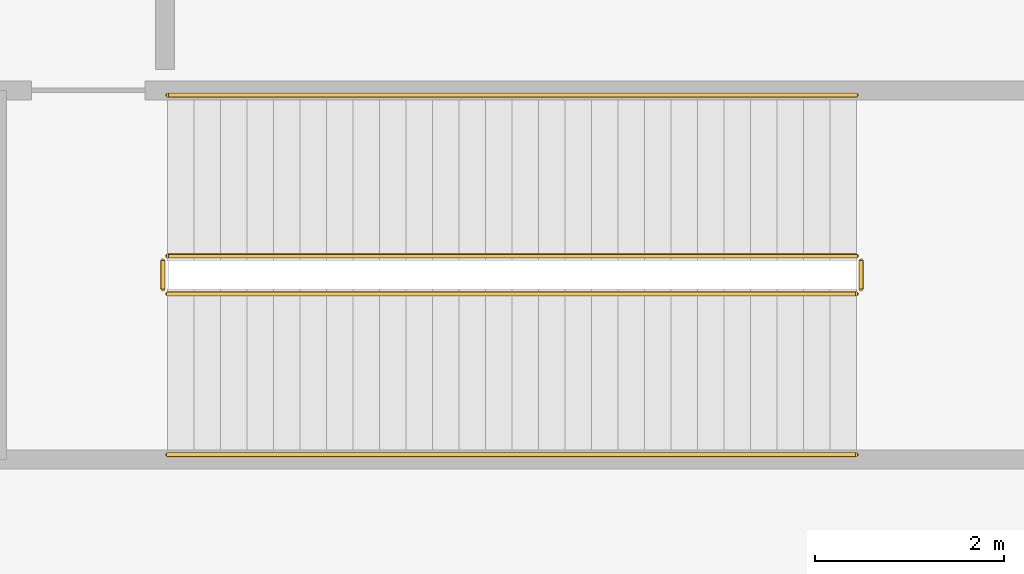
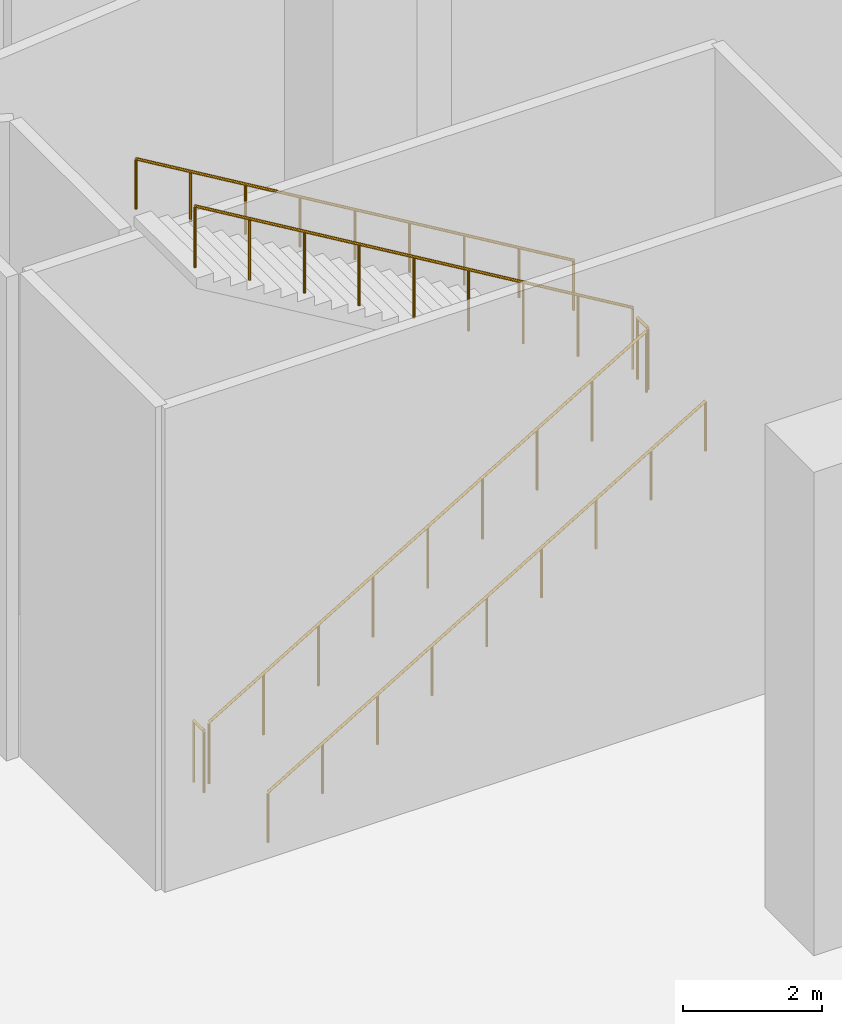
# One storey, part 38 of 54: 6 railings.
"""IFC4 building model written with IfcOpenShell, lengths in metres."""

from ifc_helpers import new_model, si_unit, direction, frame, origin, origin_2d, place, context, subcontext, project, spatial, circle, extrude, material, type_object, element, save


model = new_model("IFC4")

# Units and contexts
model_context = context("Model", 3, precision=1e-05, world=origin(), true_north=direction((0.0, 1.0)))
body_context = subcontext(model_context, "Body", "Model", "MODEL_VIEW")
ifc_project = project(units=[si_unit("LENGTHUNIT", "METRE"), si_unit("AREAUNIT", "SQUARE_METRE"), si_unit("VOLUMEUNIT", "CUBIC_METRE"), si_unit("PLANEANGLEUNIT", "RADIAN"), si_unit("MASSUNIT", "GRAM", prefix="KILO")], contexts=[model_context])

# Site, building, storey
site_placement = place(None, origin())
site = spatial("IfcSite", under=ifc_project, at=site_placement, CompositionType="ELEMENT")
building_placement = place(site_placement, origin())
building = spatial("IfcBuilding", under=site, at=building_placement, Name="Tamarind Cross Interchange Tower", CompositionType="ELEMENT")
storey_placement = place(building_placement, origin())
storey = spatial("IfcBuildingStorey", under=building, at=storey_placement, Name="L00", CompositionType="ELEMENT", Elevation=0.0)

# Railings
ifc_material_1 = material(Name="Public stair guard")
railing_type_1 = type_object("IfcRailingType", Name="Public stair guard", PredefinedType="GUARDRAIL", material=ifc_material_1)
railing_1_placement = place(storey_placement, frame((-60.199951171875, -33.64990234375, 0.166748046875)))
element("IfcRailing", 1, at=railing_1_placement, inside=storey, type_object=railing_type_1, Name="L00 XS-P07 stair guard 1", PredefinedType="GUARDRAIL", context=body_context, shape_type="SweptSolid", body=[
    extrude(circle(Radius=0.02392578125, at=origin_2d()), frame((0.0, 0.0, 1.076171875), z_axis=(0.859298010897, 0.0, 0.511475247171), x_axis=(0.0, 1.0, 0.0)), (0.0, 0.0, 1.0), 8.47216796875),
    extrude(circle(Radius=0.02099609375, at=origin_2d()), origin(), (0.0, 0.0, 1.0), 1.052001953125),
    extrude(circle(Radius=0.02099609375, at=origin_2d()), frame((0.909912109375, 0.0, 0.541748046875)), (0.0, 0.0, 1.0), 1.052001953125),
    extrude(circle(Radius=0.02099609375, at=origin_2d()), frame((1.820068359375, 0.0, 1.083251953125)), (0.0, 0.0, 1.0), 1.052001953125),
    extrude(circle(Radius=0.02099609375, at=origin_2d()), frame((2.72998046875, 0.0, 1.625)), (0.0, 0.0, 1.0), 1.052001953125),
    extrude(circle(Radius=0.02099609375, at=origin_2d()), frame((3.64013671875, 0.0, 2.16650390625)), (0.0, 0.0, 1.0), 1.052001953125),
    extrude(circle(Radius=0.02099609375, at=origin_2d()), frame((4.550048828125, 0.0, 2.708251953125)), (0.0, 0.0, 1.0), 1.052001953125),
    extrude(circle(Radius=0.02099609375, at=origin_2d()), frame((5.4599609375, 0.0, 3.25)), (0.0, 0.0, 1.0), 1.052001953125),
    extrude(circle(Radius=0.02099609375, at=origin_2d()), frame((6.3701171875, 0.0, 3.79150390625)), (0.0, 0.0, 1.0), 1.052001953125),
    extrude(circle(Radius=0.02099609375, at=origin_2d()), frame((7.280029296875, 0.0, 4.333251953125)), (0.0, 0.0, 1.0), 1.052001953125),
])
railing_2_placement = place(storey_placement, frame((-52.8701171875, -33.60009765625, 4.5)))
element("IfcRailing", 2, at=railing_2_placement, inside=storey, type_object=railing_type_1, Name="L00 XS-P07 stair guard 2", PredefinedType="GUARDRAIL", context=body_context, shape_type="SweptSolid", body=[
    extrude(circle(Radius=0.02392578125, at=origin_2d()), frame((0.0, 0.0, 1.076171875), z_axis=(0.0, 1.0, 0.0), x_axis=(-1.0, 0.0, 0.0)), (0.0, 0.0, 1.0), 0.300048828125),
    extrude(circle(Radius=0.02099609375, at=origin_2d()), origin(), (0.0, 0.0, 1.0), 1.052001953125),
    extrude(circle(Radius=0.02099609375, at=origin_2d()), frame((0.0, 0.300048828125, 0.0)), (0.0, 0.0, 1.0), 1.052001953125),
])
railing_3_placement = place(storey_placement, frame((-52.919921875, -33.25, 4.666748046875)))
element("IfcRailing", 3, at=railing_3_placement, inside=storey, type_object=railing_type_1, Name="L00 XS-P07 stair guard 3", PredefinedType="GUARDRAIL", context=body_context, shape_type="SweptSolid", body=[
    extrude(circle(Radius=0.02392578125, at=origin_2d()), frame((0.0, 0.0, 1.076171875), z_axis=(-0.859298010897, 0.0, 0.511475247171), x_axis=(0.0, -1.0, 0.0)), (0.0, 0.0, 1.0), 8.47216796875),
    extrude(circle(Radius=0.02099609375, at=origin_2d()), origin(), (0.0, 0.0, 1.0), 1.052001953125),
    extrude(circle(Radius=0.02099609375, at=origin_2d()), frame((-0.909912109375, 0.0, 0.541748046875)), (0.0, 0.0, 1.0), 1.052001953125),
    extrude(circle(Radius=0.02099609375, at=origin_2d()), frame((-1.820068359375, 0.0, 1.083251953125)), (0.0, 0.0, 1.0), 1.052001953125),
    extrude(circle(Radius=0.02099609375, at=origin_2d()), frame((-2.72998046875, 0.0, 1.625)), (0.0, 0.0, 1.0), 1.052001953125),
    extrude(circle(Radius=0.02099609375, at=origin_2d()), frame((-3.64013671875, 0.0, 2.16650390625)), (0.0, 0.0, 1.0), 1.052001953125),
    extrude(circle(Radius=0.02099609375, at=origin_2d()), frame((-4.550048828125, 0.0, 2.708251953125)), (0.0, 0.0, 1.0), 1.052001953125),
    extrude(circle(Radius=0.02099609375, at=origin_2d()), frame((-5.4599609375, 0.0, 3.25)), (0.0, 0.0, 1.0), 1.052001953125),
    extrude(circle(Radius=0.02099609375, at=origin_2d()), frame((-6.3701171875, 0.0, 3.79150390625)), (0.0, 0.0, 1.0), 1.052001953125),
    extrude(circle(Radius=0.02099609375, at=origin_2d()), frame((-7.280029296875, 0.0, 4.333251953125)), (0.0, 0.0, 1.0), 1.052001953125),
])
railing_4_placement = place(storey_placement, frame((-60.25, -33.60009765625, 0.0)))
element("IfcRailing", 4, at=railing_4_placement, inside=storey, type_object=railing_type_1, Name="L00 XS-P07 stair guard 4", PredefinedType="GUARDRAIL", context=body_context, shape_type="SweptSolid", body=[
    extrude(circle(Radius=0.02392578125, at=origin_2d()), frame((0.0, 0.0, 1.076171875), z_axis=(0.0, 1.0, 0.0), x_axis=(-1.0, 0.0, 0.0)), (0.0, 0.0, 1.0), 0.300048828125),
    extrude(circle(Radius=0.02099609375, at=origin_2d()), origin(), (0.0, 0.0, 1.0), 1.052001953125),
    extrude(circle(Radius=0.02099609375, at=origin_2d()), frame((0.0, 0.300048828125, 0.0)), (0.0, 0.0, 1.0), 1.052001953125),
])
ifc_material_2 = material(Name="Public stair handrail")
railing_type_2 = type_object("IfcRailingType", Name="Public stair handrail", PredefinedType="HANDRAIL", material=ifc_material_2)
railing_5_placement = place(storey_placement, frame((-60.199951171875, -35.35009765625, 0.166748046875)))
element("IfcRailing", 5, at=railing_5_placement, inside=storey, type_object=railing_type_2, Name="L00 XS-P07 stair handrail 1", PredefinedType="HANDRAIL", context=body_context, shape_type="SweptSolid", body=[
    extrude(circle(Radius=0.02392578125, at=origin_2d()), frame((0.0, 0.0, 0.8759765625), z_axis=(0.859298010897, 0.0, 0.511475247171), x_axis=(0.0, 1.0, 0.0)), (0.0, 0.0, 1.0), 8.47216796875),
    extrude(circle(Radius=0.02099609375, at=origin_2d()), origin(), (0.0, 0.0, 1.0), 0.851806640625),
    extrude(circle(Radius=0.02099609375, at=origin_2d()), frame((0.909912109375, 0.0, 0.541748046875)), (0.0, 0.0, 1.0), 0.851806640625),
    extrude(circle(Radius=0.02099609375, at=origin_2d()), frame((1.820068359375, 0.0, 1.083251953125)), (0.0, 0.0, 1.0), 0.851806640625),
    extrude(circle(Radius=0.02099609375, at=origin_2d()), frame((2.72998046875, 0.0, 1.625)), (0.0, 0.0, 1.0), 0.851806640625),
    extrude(circle(Radius=0.02099609375, at=origin_2d()), frame((3.64013671875, 0.0, 2.16650390625)), (0.0, 0.0, 1.0), 0.851806640625),
    extrude(circle(Radius=0.02099609375, at=origin_2d()), frame((4.550048828125, 0.0, 2.708251953125)), (0.0, 0.0, 1.0), 0.851806640625),
    extrude(circle(Radius=0.02099609375, at=origin_2d()), frame((5.4599609375, 0.0, 3.25)), (0.0, 0.0, 1.0), 0.851806640625),
    extrude(circle(Radius=0.02099609375, at=origin_2d()), frame((6.3701171875, 0.0, 3.79150390625)), (0.0, 0.0, 1.0), 0.851806640625),
    extrude(circle(Radius=0.02099609375, at=origin_2d()), frame((7.280029296875, 0.0, 4.333251953125)), (0.0, 0.0, 1.0), 0.851806640625),
])
railing_6_placement = place(storey_placement, frame((-52.919921875, -31.550048828125, 4.666748046875)))
element("IfcRailing", 6, at=railing_6_placement, inside=storey, type_object=railing_type_2, Name="L00 XS-P07 stair handrail 2", PredefinedType="HANDRAIL", context=body_context, shape_type="SweptSolid", body=[
    extrude(circle(Radius=0.02392578125, at=origin_2d()), frame((0.0, 0.0, 0.8759765625), z_axis=(-0.859298010897, 0.0, 0.511475247171), x_axis=(0.0, -1.0, 0.0)), (0.0, 0.0, 1.0), 8.47216796875),
    extrude(circle(Radius=0.02099609375, at=origin_2d()), origin(), (0.0, 0.0, 1.0), 0.851806640625),
    extrude(circle(Radius=0.02099609375, at=origin_2d()), frame((-0.909912109375, 0.0, 0.541748046875)), (0.0, 0.0, 1.0), 0.851806640625),
    extrude(circle(Radius=0.02099609375, at=origin_2d()), frame((-1.820068359375, 0.0, 1.083251953125)), (0.0, 0.0, 1.0), 0.851806640625),
    extrude(circle(Radius=0.02099609375, at=origin_2d()), frame((-2.72998046875, 0.0, 1.625)), (0.0, 0.0, 1.0), 0.851806640625),
    extrude(circle(Radius=0.02099609375, at=origin_2d()), frame((-3.64013671875, 0.0, 2.16650390625)), (0.0, 0.0, 1.0), 0.851806640625),
    extrude(circle(Radius=0.02099609375, at=origin_2d()), frame((-4.550048828125, 0.0, 2.708251953125)), (0.0, 0.0, 1.0), 0.851806640625),
    extrude(circle(Radius=0.02099609375, at=origin_2d()), frame((-5.4599609375, 0.0, 3.25)), (0.0, 0.0, 1.0), 0.851806640625),
    extrude(circle(Radius=0.02099609375, at=origin_2d()), frame((-6.3701171875, 0.0, 3.79150390625)), (0.0, 0.0, 1.0), 0.851806640625),
    extrude(circle(Radius=0.02099609375, at=origin_2d()), frame((-7.280029296875, 0.0, 4.333251953125)), (0.0, 0.0, 1.0), 0.851806640625),
])

save(model, "model.ifc")
